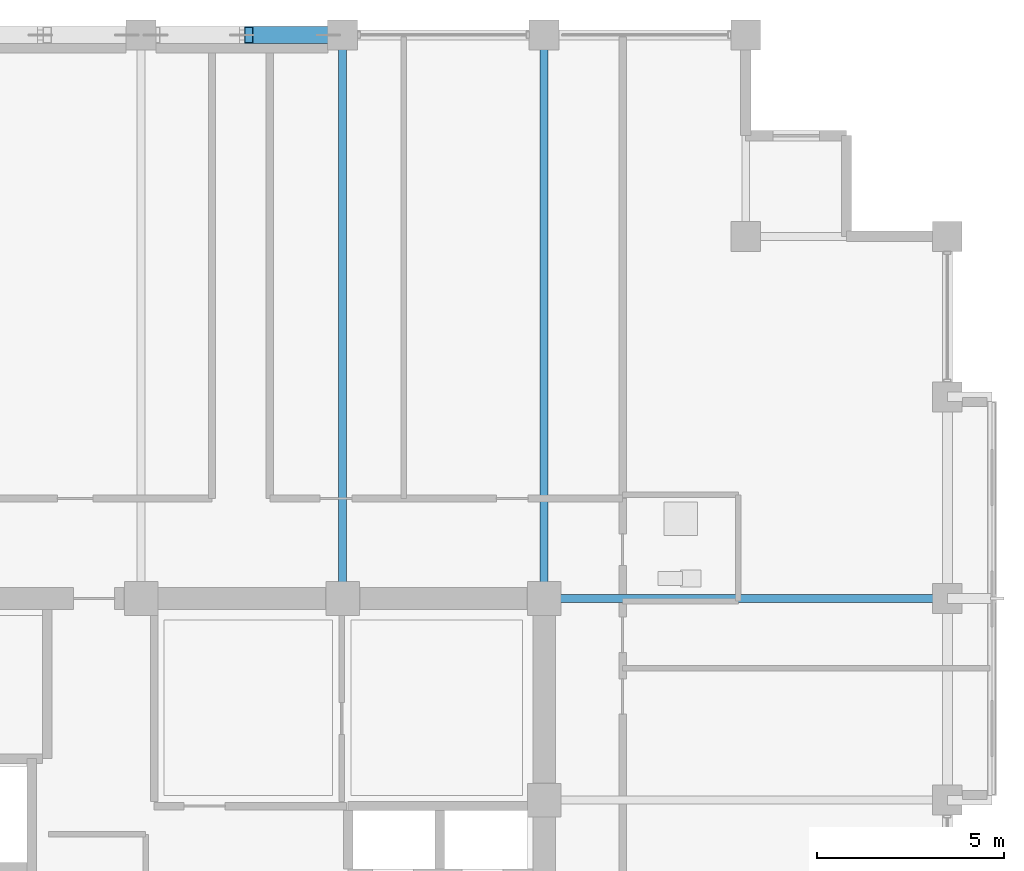
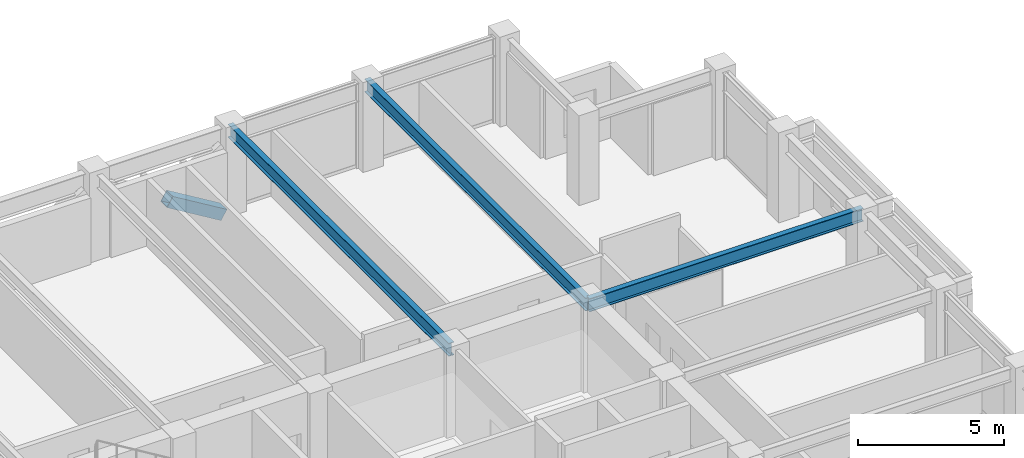
# One storey, part 19 of 30: 3 beams, 1 member.
"""IFC4 building model written with IfcOpenShell, lengths in metres."""

from ifc_helpers import new_model, si_unit, direction, frame, origin, origin_2d, place, context, subcontext, project, spatial, hollow_rectangle, i_section, extrude, material, material_profile, profile_set, type_object, element, save


model = new_model("IFC4")

# Units and contexts
model_context = context("Model", 3, precision=1e-05, world=origin(), true_north=direction((0.0, 1.0)))
body_context = subcontext(model_context, "Body", "Model", "MODEL_VIEW")
ifc_project = project(units=[si_unit("LENGTHUNIT", "METRE"), si_unit("AREAUNIT", "SQUARE_METRE"), si_unit("VOLUMEUNIT", "CUBIC_METRE"), si_unit("PLANEANGLEUNIT", "RADIAN"), si_unit("MASSUNIT", "GRAM", prefix="KILO")], contexts=[model_context])

# Site, building, storey
site_placement = place(None, origin())
site = spatial("IfcSite", under=ifc_project, at=site_placement, CompositionType="ELEMENT")
building_placement = place(site_placement, origin())
building = spatial("IfcBuilding", under=site, at=building_placement, Name="Surkhivell Harbour Commons", CompositionType="ELEMENT")
storey_placement = place(building_placement, frame((0.0, 0.0, 227.25)))
storey = spatial("IfcBuildingStorey", under=building, at=storey_placement, Name="L59", CompositionType="ELEMENT", Elevation=227.25)

# Beams
ifc_material_1 = material(Name="Steel S355", Category="steel")
ifc_material_profile_1 = material_profile(ifc_material_1, i_section(OverallWidth=0.2119140625, OverallDepth=0.5439453125, WebThickness=0.0126953125, FlangeThickness=0.021240234375, at=origin_2d()), Name="UB533x210x122")
ifc_profile_set_1 = profile_set([ifc_material_profile_1], Name="Steel S355")
beam_type = type_object("IfcBeamType", Name="BM-GRD-533A", PredefinedType="BEAM", material=ifc_profile_set_1)
for number, where, z_axis, x_axis, name in (
    (1, (5.39990234375, 10.800048828125, 3.298095703125), (0.0, 1.0, 0.0), (-1.0, 0.0, 0.0), "L59 Floor Girder (5.4,10.8)"),
    (2, (10.800048828125, 10.800048828125, 3.298095703125), (0.0, 1.0, 0.0), (-1.0, 0.0, 0.0), "L59 Floor Girder (10.8,10.8)"),
):
    element("IfcBeam", number, at=place(storey_placement, frame(where, z_axis=z_axis, x_axis=x_axis)), inside=storey, type_object=beam_type, Name=name, PredefinedType="BEAM", context=body_context, shape_type="SweptSolid", body=[
        extrude(i_section(OverallWidth=0.2119140625, OverallDepth=0.5439453125, WebThickness=0.0126953125, FlangeThickness=0.021240234375, at=origin_2d()), origin(), (0.0, 0.0, 1.0), 15.099853515625),
    ])
beam_placement = place(storey_placement, frame((10.800048828125, 10.800048828125, 3.298095703125), z_axis=(1.0, 0.0, 0.0), x_axis=(0.0, 1.0, 0.0)))
element("IfcBeam", 3, at=beam_placement, inside=storey, type_object=beam_type, Name="L59 Floor Girder (10.8,10.8)", PredefinedType="BEAM", context=body_context, shape_type="SweptSolid", body=[
    extrude(i_section(OverallWidth=0.2119140625, OverallDepth=0.5439453125, WebThickness=0.0126953125, FlangeThickness=0.021240234375, at=origin_2d()), origin(), (0.0, 0.0, 1.0), 10.800048828125),
])

# Member
ifc_material_2 = material(Name="Steel S460", Category="steel")
ifc_material_profile_2 = material_profile(ifc_material_2, hollow_rectangle(XDim=0.449951171875, YDim=0.449951171875, WallThickness=0.02197265625, at=origin_2d()), Name="SHS450x450x22")
ifc_profile_set_2 = profile_set([ifc_material_profile_2], Name="Steel S460")
member_type = type_object("IfcMemberType", Name="MEM-BRC-SHS450", PredefinedType="BRACE", material=ifc_profile_set_2)
member_placement = place(storey_placement, frame((5.014892578125, 25.89990234375, 0.008056640625), z_axis=(-0.856034952881, 0.0, 0.516917942662), x_axis=(0.0, -1.0, 0.0)))
element("IfcMember", 4, at=member_placement, inside=storey, type_object=member_type, Name="L59 Perimeter Mega-Brace MB- 05", PredefinedType="BRACE", context=body_context, shape_type="SweptSolid", body=[
    extrude(hollow_rectangle(XDim=0.449951171875, YDim=0.449951171875, WallThickness=0.02197265625, at=origin_2d()), origin(), (0.0, 0.0, 1.0), 2.488037109375),
])

save(model, "model.ifc")
